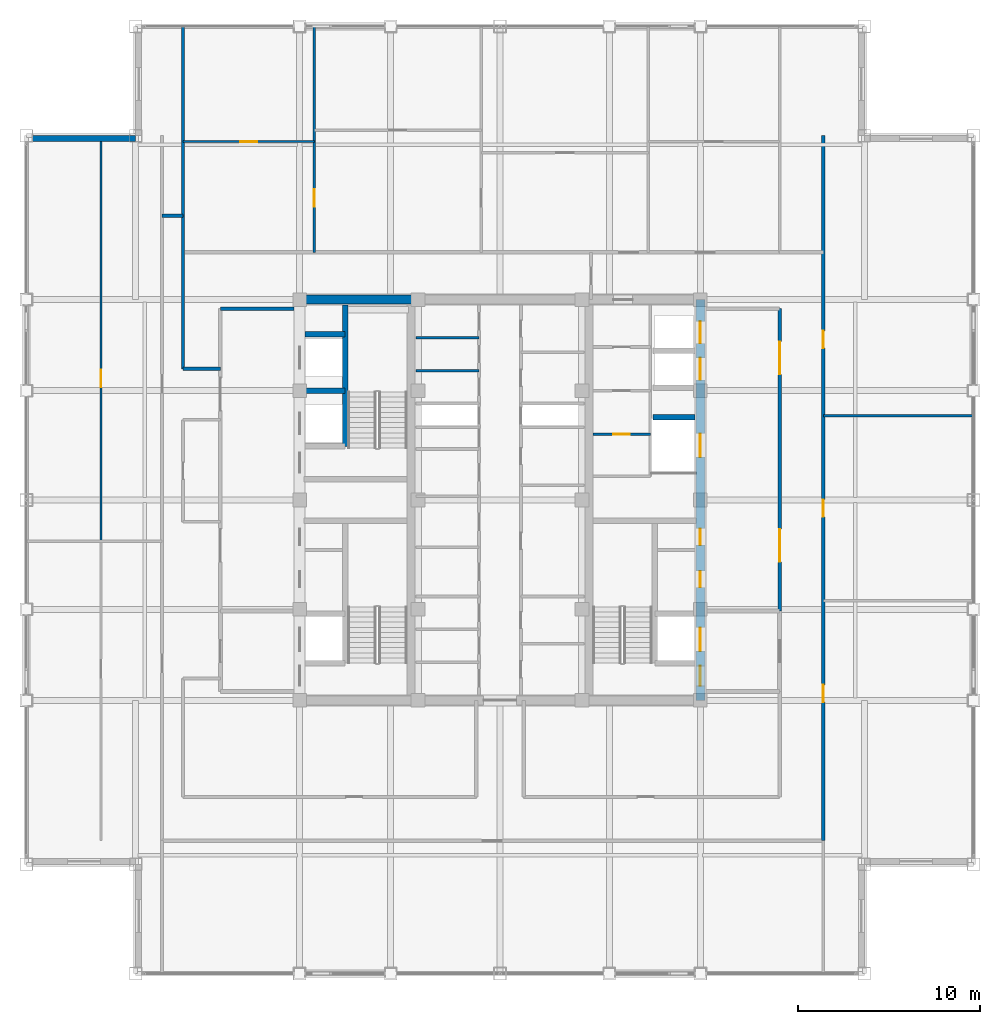
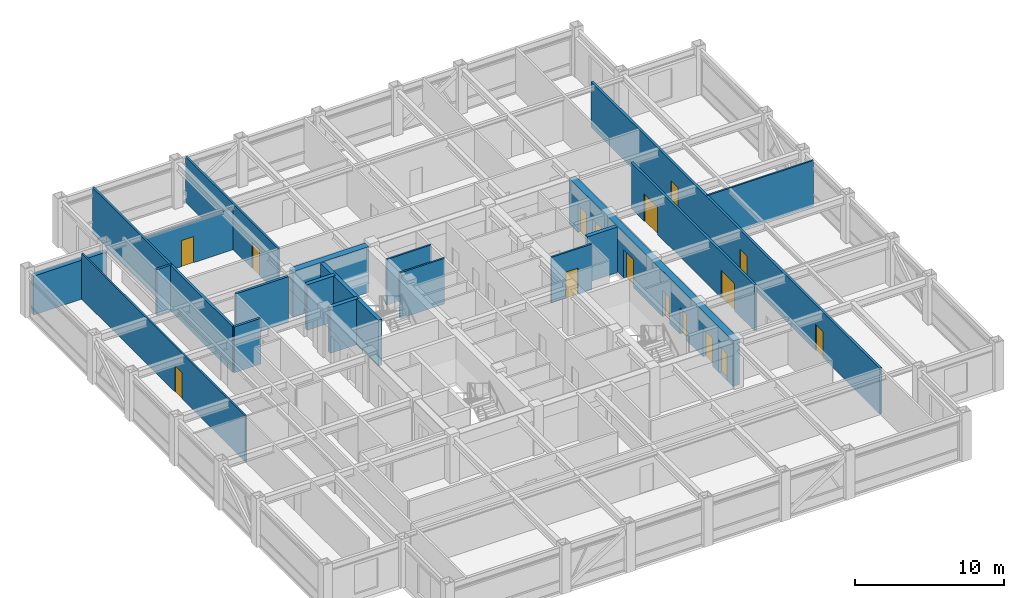
# One storey, part 26 of 29: 21 walls, 16 doors, 16 openings.
"""IFC4 building model written with IfcOpenShell, lengths in metres."""

from ifc_helpers import new_model, si_unit, direction, frame, frame_2d, origin, place, context, subcontext, project, spatial, rectangle, extrude, source, transform, mapped, material, layer, layer_set, type_object, element, fill, save


model = new_model("IFC4")

# Units and contexts
model_context = context("Model", 3, precision=1e-05, world=origin(), true_north=direction((0.0, 1.0)))
body_context = subcontext(model_context, "Body", "Model", "MODEL_VIEW")
ifc_project = project(units=[si_unit("LENGTHUNIT", "METRE"), si_unit("AREAUNIT", "SQUARE_METRE"), si_unit("VOLUMEUNIT", "CUBIC_METRE"), si_unit("PLANEANGLEUNIT", "RADIAN"), si_unit("MASSUNIT", "GRAM", prefix="KILO")], contexts=[model_context])

# Site, building, storey
site_placement = place(None, origin())
site = spatial("IfcSite", under=ifc_project, at=site_placement, CompositionType="ELEMENT")
building_placement = place(site_placement, origin())
building = spatial("IfcBuilding", under=site, at=building_placement, Name="Khorayat Bourse Tower", CompositionType="ELEMENT")
storey_placement = place(building_placement, frame((0.0, 0.0, 358.300048828125)))
storey = spatial("IfcBuildingStorey", under=building, at=storey_placement, Name="L85", CompositionType="ELEMENT", Elevation=358.300048828125)

# Wall, openings, doors
ifc_material_1 = material(Name="Concrete C52/65", Category="concrete")
ifc_layer_1 = layer(ifc_material_1, 0.5)
ifc_layer_set_1 = layer_set([ifc_layer_1], Name="Concrete C52/65")
wall_type_1 = type_object("IfcWallType", Name="WAL-CORE-500", PredefinedType="SHEAR", material=ifc_layer_set_1)
shared_shape_1 = source(origin(), body_context, "Body", "SweptSolid", [
    extrude(rectangle(XDim=22.0, YDim=0.5, at=frame_2d((11.0, 0.0))), origin(), (0.0, 0.0, 1.0), 3.739990234375),
])
wall_1_placement = place(storey_placement, frame((11.0, -11.0, 0.0), z_axis=(0.0, 0.0, 1.0), x_axis=(0.0, 1.0, 0.0)))
wall_1 = element("IfcWall", 1, at=wall_1_placement, inside=storey, type_object=wall_type_1, Name="L85 Core Shear Wall CORE-E", PredefinedType="SHEAR", context=body_context, shape_type="MappedRepresentation", body=[
    mapped(shared_shape_1, transform((0.0, 0.0, 0.0), scale=1.0)),
])
shared_shape_2 = source(origin(), body_context, "Body", "SweptSolid", [
    extrude(rectangle(XDim=1.10009765625, YDim=2.199951171875, at=frame_2d((0.550048828125, 1.10009765625))), frame((0.0, 0.260009765625, 0.0), z_axis=(0.0, -1.0, 0.0), x_axis=(1.0, 0.0, 0.0)), (0.0, 0.0, 1.0), 0.52001953125),
])
opening_1_placement = place(wall_1_placement, frame((0.800048828125, 0.0, 0.0)))
opening_1 = element("IfcOpeningElement", 2, at=opening_1_placement, cuts=wall_1, Name="Opening DI-01", PredefinedType="OPENING", context=body_context, shape_type="MappedRepresentation", body=[
    mapped(shared_shape_2, transform((0.0, 0.0, 0.0), scale=1.0)),
])
shared_shape_3 = source(origin(), body_context, "Body", "SweptSolid", [
    extrude(rectangle(XDim=0.89990234375, YDim=2.14990234375, at=frame_2d((0.449951171875, 1.074951171875))), frame((0.0, 0.260009765625, 0.0), z_axis=(0.0, -1.0, 0.0), x_axis=(1.0, 0.0, 0.0)), (0.0, 0.0, 1.0), 0.52001953125),
])
opening_2_placement = place(wall_1_placement, frame((6.199951171875, 0.0, 0.0)))
opening_2 = element("IfcOpeningElement", 3, at=opening_2_placement, cuts=wall_1, Name="Opening DI-06", PredefinedType="OPENING", context=body_context, shape_type="MappedRepresentation", body=[
    mapped(shared_shape_3, transform((0.0, 0.0, 0.0), scale=1.0)),
])
opening_3_placement = place(wall_1_placement, frame((8.52490234375, 0.0, 0.0)))
opening_3 = element("IfcOpeningElement", 4, at=opening_3_placement, cuts=wall_1, Name="Opening DI-06", PredefinedType="OPENING", context=body_context, shape_type="MappedRepresentation", body=[
    mapped(shared_shape_3, transform((0.0, 0.0, 0.0), scale=1.0)),
])
shared_shape_4 = source(origin(), body_context, "Body", "SweptSolid", [
    extrude(rectangle(XDim=1.199951171875, YDim=2.300048828125, at=frame_2d((0.60009765625, 1.14990234375))), frame((0.0, 0.260009765625, 0.0), z_axis=(0.0, -1.0, 0.0), x_axis=(1.0, 0.0, 0.0)), (0.0, 0.0, 1.0), 0.52001953125),
])
opening_4_placement = place(wall_1_placement, frame((17.60009765625, 0.0, 0.0)))
opening_4 = element("IfcOpeningElement", 5, at=opening_4_placement, cuts=wall_1, Name="Opening LD-01", PredefinedType="OPENING", context=body_context, shape_type="MappedRepresentation", body=[
    mapped(shared_shape_4, transform((0.0, 0.0, 0.0), scale=1.0)),
])
opening_5_placement = place(wall_1_placement, frame((19.60009765625, 0.0, 0.0)))
opening_5 = element("IfcOpeningElement", 6, at=opening_5_placement, cuts=wall_1, Name="Opening LD-01", PredefinedType="OPENING", context=body_context, shape_type="MappedRepresentation", body=[
    mapped(shared_shape_4, transform((0.0, 0.0, 0.0), scale=1.0)),
])
shared_shape_5 = source(origin(), body_context, "Body", "SweptSolid", [
    extrude(rectangle(XDim=1.300048828125, YDim=2.300048828125, at=frame_2d((0.64990234375, 1.14990234375))), frame((0.0, 0.260009765625, 0.0), z_axis=(0.0, -1.0, 0.0), x_axis=(1.0, 0.0, 0.0)), (0.0, 0.0, 1.0), 0.52001953125),
])
opening_6_placement = place(wall_1_placement, frame((2.699951171875, 0.0, 0.0)))
opening_6 = element("IfcOpeningElement", 7, at=opening_6_placement, cuts=wall_1, Name="Opening LD-02", PredefinedType="OPENING", context=body_context, shape_type="MappedRepresentation", body=[
    mapped(shared_shape_5, transform((0.0, 0.0, 0.0), scale=1.0)),
])
opening_7_placement = place(wall_1_placement, frame((13.35009765625, 0.0, 0.0)))
opening_7 = element("IfcOpeningElement", 8, at=opening_7_placement, cuts=wall_1, Name="Opening LD-02", PredefinedType="OPENING", context=body_context, shape_type="MappedRepresentation", body=[
    mapped(shared_shape_5, transform((0.0, 0.0, 0.0), scale=1.0)),
])
ifc_material_2 = material(Name="Fire-rated steel acoustic leaf", Category="steel")
door_type_1 = type_object("IfcDoorType", Name="DR-INT-STAIR-1100", OperationType="NOTDEFINED", PredefinedType="DOOR", material=ifc_material_2)
shared_shape_6 = source(origin(), body_context, "Body", "SweptSolid", [
    extrude(rectangle(XDim=1.10009765625, YDim=2.199951171875, at=frame_2d((0.550048828125, 1.10009765625))), frame((0.0, 0.02490234375, 0.0), z_axis=(0.0, -1.0, 0.0), x_axis=(1.0, 0.0, 0.0)), (0.0, 0.0, 1.0), 0.050048828125),
])
door_1_placement = place(opening_1_placement, origin())
door_1 = element("IfcDoor", 9, at=door_1_placement, inside=storey, type_object=door_type_1, Name="L85 Exit Stair 3 Door", OperationType="SINGLE_SWING_LEFT", OverallHeight=2.199951171875, OverallWidth=1.10009765625, PredefinedType="DOOR", context=body_context, shape_type="MappedRepresentation", body=[
    mapped(shared_shape_6, transform((0.0, 0.0, 0.0), scale=1.0)),
])
fill(opening_1, door_1)
ifc_material_3 = material(Name="Moisture-resistant laminate washroom door")
door_type_2 = type_object("IfcDoorType", Name="DR-INT-WC-900", OperationType="NOTDEFINED", PredefinedType="DOOR", material=ifc_material_3)
shared_shape_7 = source(origin(), body_context, "Body", "SweptSolid", [
    extrude(rectangle(XDim=0.89990234375, YDim=2.14990234375, at=frame_2d((0.449951171875, 1.074951171875))), frame((0.0, 0.02490234375, 0.0), z_axis=(0.0, -1.0, 0.0), x_axis=(1.0, 0.0, 0.0)), (0.0, 0.0, 1.0), 0.050048828125),
])
door_2_placement = place(opening_2_placement, origin())
door_2 = element("IfcDoor", 10, at=door_2_placement, inside=storey, type_object=door_type_2, Name="L85 Telecom Closet Door", OperationType="SINGLE_SWING_LEFT", OverallHeight=2.14990234375, OverallWidth=0.89990234375, PredefinedType="DOOR", context=body_context, shape_type="MappedRepresentation", body=[
    mapped(shared_shape_7, transform((0.0, 0.0, 0.0), scale=1.0)),
])
fill(opening_2, door_2)
door_3_placement = place(opening_3_placement, origin())
door_3 = element("IfcDoor", 11, at=door_3_placement, inside=storey, type_object=door_type_2, Name="L85 Stationery Store Door", OperationType="SINGLE_SWING_RIGHT", OverallHeight=2.14990234375, OverallWidth=0.89990234375, PredefinedType="DOOR", context=body_context, shape_type="MappedRepresentation", body=[
    mapped(shared_shape_7, transform((0.0, 0.0, 0.0), scale=1.0)),
])
fill(opening_3, door_3)
ifc_material_4 = material(Name="Brushed bronze stainless-steel sliding door", Category="steel")
door_type_3 = type_object("IfcDoorType", Name="DR-LIFT-PASS-1200", OperationType="NOTDEFINED", PredefinedType="DOOR", material=ifc_material_4)
shared_shape_8 = source(origin(), body_context, "Body", "SweptSolid", [
    extrude(rectangle(XDim=1.199951171875, YDim=2.300048828125, at=frame_2d((0.60009765625, 1.14990234375))), frame((0.0, 0.02490234375, 0.0), z_axis=(0.0, -1.0, 0.0), x_axis=(1.0, 0.0, 0.0)), (0.0, 0.0, 1.0), 0.050048828125),
])
door_4_placement = place(opening_4_placement, origin())
door_4 = element("IfcDoor", 12, at=door_4_placement, inside=storey, type_object=door_type_3, Name="L85 Lift PL-H3 Sliding Landing Door", OperationType="SLIDING_TO_LEFT", OverallHeight=2.300048828125, OverallWidth=1.199951171875, PredefinedType="DOOR", context=body_context, shape_type="MappedRepresentation", body=[
    mapped(shared_shape_8, transform((0.0, 0.0, 0.0), scale=1.0)),
])
fill(opening_4, door_4)
door_5_placement = place(opening_5_placement, origin())
door_5 = element("IfcDoor", 13, at=door_5_placement, inside=storey, type_object=door_type_3, Name="L85 Lift PL-H4 Sliding Landing Door", OperationType="SLIDING_TO_LEFT", OverallHeight=2.300048828125, OverallWidth=1.199951171875, PredefinedType="DOOR", context=body_context, shape_type="MappedRepresentation", body=[
    mapped(shared_shape_8, transform((0.0, 0.0, 0.0), scale=1.0)),
])
fill(opening_5, door_5)
ifc_material_5 = material(Name="Fire-rated stainless-steel sliding landing door", Category="steel")
door_type_4 = type_object("IfcDoorType", Name="DR-LIFT-FF-1300", OperationType="NOTDEFINED", PredefinedType="DOOR", material=ifc_material_5)
shared_shape_9 = source(origin(), body_context, "Body", "SweptSolid", [
    extrude(rectangle(XDim=1.300048828125, YDim=2.300048828125, at=frame_2d((0.64990234375, 1.14990234375))), frame((0.0, 0.02490234375, 0.0), z_axis=(0.0, -1.0, 0.0), x_axis=(1.0, 0.0, 0.0)), (0.0, 0.0, 1.0), 0.050048828125),
])
door_6_placement = place(opening_6_placement, origin())
door_6 = element("IfcDoor", 14, at=door_6_placement, inside=storey, type_object=door_type_4, Name="L85 Lift FFL-02 Sliding Landing Door", OperationType="SLIDING_TO_LEFT", OverallHeight=2.300048828125, OverallWidth=1.300048828125, PredefinedType="DOOR", context=body_context, shape_type="MappedRepresentation", body=[
    mapped(shared_shape_9, transform((0.0, 0.0, 0.0), scale=1.0)),
])
fill(opening_6, door_6)
door_7_placement = place(opening_7_placement, origin())
door_7 = element("IfcDoor", 15, at=door_7_placement, inside=storey, type_object=door_type_4, Name="L85 Lift SVL-01 Sliding Landing Door", OperationType="SLIDING_TO_LEFT", OverallHeight=2.300048828125, OverallWidth=1.300048828125, PredefinedType="DOOR", context=body_context, shape_type="MappedRepresentation", body=[
    mapped(shared_shape_9, transform((0.0, 0.0, 0.0), scale=1.0)),
])
fill(opening_7, door_7)

# Walls
shared_shape_10 = source(origin(), body_context, "Body", "SweptSolid", [
    extrude(rectangle(XDim=5.89990234375, YDim=0.5, at=frame_2d((2.949951171875, 0.0))), origin(), (0.0, 0.0, 1.0), 3.739990234375),
])
wall_2_placement = place(storey_placement, frame((-10.75, 11.0, 0.0), z_axis=(0.0, 0.0, 1.0), x_axis=(1.0, 0.0, 0.0)))
element("IfcWall", 16, at=wall_2_placement, inside=storey, type_object=wall_type_1, Name="L85 Core Shear Wall PIER-WN", PredefinedType="SHEAR", context=body_context, shape_type="MappedRepresentation", body=[
    mapped(shared_shape_10, transform((0.0, 0.0, 0.0), scale=1.0)),
])
ifc_material_6 = material(Name="Precast concrete C45/55", Category="concrete")
ifc_layer_2 = layer(ifc_material_6, 0.320068359375)
ifc_layer_set_2 = layer_set([ifc_layer_2], Name="Precast concrete C45/55")
wall_type_2 = type_object("IfcWallType", Name="WAL-EXT-STONE-320", PredefinedType="STANDARD", material=ifc_layer_set_2)
shared_shape_11 = source(origin(), body_context, "Body", "SweptSolid", [
    extrude(rectangle(XDim=5.679931640625, YDim=0.320068359375, at=frame_2d((2.83984375, 0.0))), origin(), (0.0, 0.0, 1.0), 3.19091796875),
])
wall_3_placement = place(storey_placement, frame((-20.0, 19.840087890625, 0.0), z_axis=(0.0, 0.0, 1.0), x_axis=(-1.0, 0.0, 0.0)))
element("IfcWall", 17, at=wall_3_placement, inside=storey, type_object=wall_type_2, Name="L85 Re-Entrant Notch Limestone Wall NW-H", PredefinedType="STANDARD", context=body_context, shape_type="MappedRepresentation", body=[
    mapped(shared_shape_11, transform((0.0, 0.0, 0.0), scale=1.0)),
])
ifc_material_7 = material(Name="Concrete C50/60", Category="concrete")
ifc_layer_3 = layer(ifc_material_7, 0.300048828125)
ifc_layer_set_3 = layer_set([ifc_layer_3], Name="Concrete C50/60")
wall_type_3 = type_object("IfcWallType", Name="WAL-SHAFT-300", PredefinedType="SHEAR", material=ifc_layer_set_3)
shared_shape_12 = source(origin(), body_context, "Body", "SweptSolid", [
    extrude(rectangle(XDim=2.199951171875, YDim=0.300048828125, at=frame_2d((1.10009765625, 0.0))), origin(), (0.0, 0.0, 1.0), 3.739990234375),
])
for number, where, z_axis, x_axis, name in (
    (18, (-10.699951171875, 6.0, 0.0), (0.0, 0.0, 1.0), (1.0, 0.0, 0.0), "L85 Partition WAL-L85-WPIER-H12"),
    (19, (-10.699951171875, 9.10009765625, 0.0), (0.0, 0.0, 1.0), (1.0, 0.0, 0.0), "L85 Partition WAL-L85-WPIER-H2N"),
):
    element("IfcWall", number, at=place(storey_placement, frame(where, z_axis=z_axis, x_axis=x_axis)), inside=storey, type_object=wall_type_3, Name=name, PredefinedType="SHEAR", context=body_context, shape_type="MappedRepresentation", body=[
        mapped(shared_shape_12, transform((0.0, 0.0, 0.0), scale=1.0)),
    ])
shared_shape_13 = source(origin(), body_context, "Body", "SweptSolid", [
    extrude(rectangle(XDim=7.75, YDim=0.300048828125, at=frame_2d((3.875, 0.0))), origin(), (0.0, 0.0, 1.0), 3.739990234375),
])
wall_4_placement = place(storey_placement, frame((-8.5, 2.949951171875, 0.0), z_axis=(0.0, 0.0, 1.0), x_axis=(0.0, 1.0, 0.0)))
element("IfcWall", 20, at=wall_4_placement, inside=storey, type_object=wall_type_3, Name="L85 Partition WAL-L85-WPIER-ST2S", PredefinedType="SHEAR", context=body_context, shape_type="MappedRepresentation", body=[
    mapped(shared_shape_13, transform((0.0, 0.0, 0.0), scale=1.0)),
])
shared_shape_14 = source(origin(), body_context, "Body", "SweptSolid", [
    extrude(rectangle(XDim=2.300048828125, YDim=0.300048828125, at=frame_2d((1.14990234375, 0.0))), origin(), (0.0, 0.0, 1.0), 3.739990234375),
])
wall_5_placement = place(storey_placement, frame((8.39990234375, 4.550048828125, 0.0), z_axis=(0.0, 0.0, 1.0), x_axis=(1.0, 0.0, 0.0)))
element("IfcWall", 21, at=wall_5_placement, inside=storey, type_object=wall_type_3, Name="L85 Partition WAL-L85-EPIER-SVLN", PredefinedType="SHEAR", context=body_context, shape_type="MappedRepresentation", body=[
    mapped(shared_shape_14, transform((0.0, 0.0, 0.0), scale=1.0)),
])

# Wall, opening, door
ifc_material_8 = material(Name="Moisture-resistant masonry partition", Category="masonry")
ifc_layer_4 = layer(ifc_material_8, 0.139892578125)
ifc_layer_set_4 = layer_set([ifc_layer_4], Name="Moisture-resistant masonry partition")
wall_type_4 = type_object("IfcWallType", Name="WAL-PART-WET-140", PredefinedType="PARTITIONING", material=ifc_layer_set_4)
shared_shape_15 = source(origin(), body_context, "Body", "SweptSolid", [
    extrude(rectangle(XDim=3.14990234375, YDim=0.139892578125, at=frame_2d((1.574951171875, 0.0))), origin(), (0.0, 0.0, 1.0), 3.739990234375),
])
wall_6_placement = place(storey_placement, frame((5.10009765625, 3.60009765625, 0.0), z_axis=(0.0, 0.0, 1.0), x_axis=(1.0, 0.0, 0.0)))
wall_6 = element("IfcWall", 22, at=wall_6_placement, inside=storey, type_object=wall_type_4, Name="L85 Partition WAL-L85-ECW-H2", PredefinedType="PARTITIONING", context=body_context, shape_type="MappedRepresentation", body=[
    mapped(shared_shape_15, transform((0.0, 0.0, 0.0), scale=1.0)),
])
shared_shape_16 = source(origin(), body_context, "Body", "SweptSolid", [
    extrude(rectangle(XDim=0.89990234375, YDim=2.14990234375, at=frame_2d((0.449951171875, 1.074951171875))), frame((0.0, 0.079833984375, 0.0), z_axis=(0.0, -1.0, 0.0), x_axis=(1.0, 0.0, 0.0)), (0.0, 0.0, 1.0), 0.159912109375),
])
opening_8_placement = place(wall_6_placement, frame((1.1298828125, 0.0, 0.0)))
opening_8 = element("IfcOpeningElement", 23, at=opening_8_placement, cuts=wall_6, Name="Opening DI-06", PredefinedType="OPENING", context=body_context, shape_type="MappedRepresentation", body=[
    mapped(shared_shape_16, transform((0.0, 0.0, 0.0), scale=1.0)),
])
door_8_placement = place(opening_8_placement, origin())
door_8 = element("IfcDoor", 24, at=door_8_placement, inside=storey, type_object=door_type_2, Name="L85 Staff Washroom Door", OperationType="SINGLE_SWING_LEFT", OverallHeight=2.14990234375, OverallWidth=0.89990234375, PredefinedType="DOOR", context=body_context, shape_type="MappedRepresentation", body=[
    mapped(shared_shape_7, transform((0.0, 0.0, 0.0), scale=1.0)),
])
fill(opening_8, door_8)

# Wall
ifc_material_9 = material(Name="Gypsum plasterboard acoustic stud wall")
ifc_layer_5 = layer(ifc_material_9, 0.179931640625)
ifc_layer_set_5 = layer_set([ifc_layer_5], Name="Gypsum plasterboard acoustic stud wall")
wall_type_5 = type_object("IfcWallType", Name="WAL-PART-CORR-180", PredefinedType="PARTITIONING", material=ifc_layer_set_5)
shared_shape_17 = source(origin(), body_context, "Body", "SweptSolid", [
    extrude(rectangle(XDim=4.050048828125, YDim=0.179931640625, at=frame_2d((2.02490234375, 0.0))), origin(), (0.0, 0.0, 1.0), 3.739990234375),
])
wall_7_placement = place(storey_placement, frame((-15.35009765625, 10.5, 0.0), z_axis=(0.0, 0.0, 1.0), x_axis=(1.0, 0.0, 0.0)))
element("IfcWall", 25, at=wall_7_placement, inside=storey, type_object=wall_type_5, Name="L85 Partition WAL-L85-WLOB-N", PredefinedType="PARTITIONING", context=body_context, shape_type="MappedRepresentation", body=[
    mapped(shared_shape_17, transform((0.0, 0.0, 0.0), scale=1.0)),
])

# Wall, openings, doors
shared_shape_18 = source(origin(), body_context, "Body", "SweptSolid", [
    extrude(rectangle(XDim=16.60009765625, YDim=0.179931640625, at=frame_2d((8.300048828125, 0.0))), origin(), (0.0, 0.0, 1.0), 3.739990234375),
])
wall_8_placement = place(storey_placement, frame((15.35009765625, -6.10009765625, 0.0), z_axis=(0.0, 0.0, 1.0), x_axis=(0.0, 1.0, 0.0)))
wall_8 = element("IfcWall", 26, at=wall_8_placement, inside=storey, type_object=wall_type_5, Name="L85 Partition WAL-L85-ELOB-E", PredefinedType="PARTITIONING", context=body_context, shape_type="MappedRepresentation", body=[
    mapped(shared_shape_18, transform((0.0, 0.0, 0.0), scale=1.0)),
])
shared_shape_19 = source(origin(), body_context, "Body", "SweptSolid", [
    extrude(rectangle(XDim=1.800048828125, YDim=2.25, at=frame_2d((0.89990234375, 1.125))), frame((0.0, 0.099853515625, 0.0), z_axis=(0.0, -1.0, 0.0), x_axis=(1.0, 0.0, 0.0)), (0.0, 0.0, 1.0), 0.199951171875),
])
opening_9_placement = place(wall_8_placement, frame((2.699951171875, 0.0, 0.0)))
opening_9 = element("IfcOpeningElement", 27, at=opening_9_placement, cuts=wall_8, Name="Opening DI-03", PredefinedType="OPENING", context=body_context, shape_type="MappedRepresentation", body=[
    mapped(shared_shape_19, transform((0.0, 0.0, 0.0), scale=1.0)),
])
opening_10_placement = place(wall_8_placement, frame((13.0, 0.0, 0.0)))
opening_10 = element("IfcOpeningElement", 28, at=opening_10_placement, cuts=wall_8, Name="Opening DI-03", PredefinedType="OPENING", context=body_context, shape_type="MappedRepresentation", body=[
    mapped(shared_shape_19, transform((0.0, 0.0, 0.0), scale=1.0)),
])
ifc_material_10 = material(Name="Fire-rated hardwood vision-panel double leaf", Category="wood")
door_type_5 = type_object("IfcDoorType", Name="DR-INT-CORR-1800", OperationType="NOTDEFINED", PredefinedType="DOOR", material=ifc_material_10)
shared_shape_20 = source(origin(), body_context, "Body", "SweptSolid", [
    extrude(rectangle(XDim=1.800048828125, YDim=2.25, at=frame_2d((0.89990234375, 1.125))), frame((0.0, 0.02490234375, 0.0), z_axis=(0.0, -1.0, 0.0), x_axis=(1.0, 0.0, 0.0)), (0.0, 0.0, 1.0), 0.050048828125),
])
door_9_placement = place(opening_9_placement, origin())
door_9 = element("IfcDoor", 29, at=door_9_placement, inside=storey, type_object=door_type_5, Name="L85 East Core Lobby South Door", OperationType="SINGLE_SWING_RIGHT", OverallHeight=2.25, OverallWidth=1.800048828125, PredefinedType="DOOR", context=body_context, shape_type="MappedRepresentation", body=[
    mapped(shared_shape_20, transform((0.0, 0.0, 0.0), scale=1.0)),
])
fill(opening_9, door_9)
door_10_placement = place(opening_10_placement, origin())
door_10 = element("IfcDoor", 30, at=door_10_placement, inside=storey, type_object=door_type_5, Name="L85 East Core Lobby North Door", OperationType="SINGLE_SWING_LEFT", OverallHeight=2.25, OverallWidth=1.800048828125, PredefinedType="DOOR", context=body_context, shape_type="MappedRepresentation", body=[
    mapped(shared_shape_20, transform((0.0, 0.0, 0.0), scale=1.0)),
])
fill(opening_10, door_10)

# Walls
shared_shape_21 = source(origin(), body_context, "Body", "SweptSolid", [
    extrude(rectangle(XDim=3.4501953125, YDim=0.139892578125, at=frame_2d((1.72509765625, 0.0))), origin(), (0.0, 0.0, 1.0), 3.739990234375),
])
for number, where, z_axis, x_axis, name in (
    (31, (-4.60009765625, 7.10009765625, 0.0), (0.0, 0.0, 1.0), (1.0, 0.0, 0.0), "L85 Partition WAL-L85-FB2W-D1"),
    (32, (-4.60009765625, 8.89990234375, 0.0), (0.0, 0.0, 1.0), (1.0, 0.0, 0.0), "L85 Partition WAL-L85-FB2W-D2"),
):
    element("IfcWall", number, at=place(storey_placement, frame(where, z_axis=z_axis, x_axis=x_axis)), inside=storey, type_object=wall_type_4, Name=name, PredefinedType="PARTITIONING", context=body_context, shape_type="MappedRepresentation", body=[
        mapped(shared_shape_21, transform((0.0, 0.0, 0.0), scale=1.0)),
    ])
shared_shape_22 = source(origin(), body_context, "Body", "SweptSolid", [
    extrude(rectangle(XDim=2.0498046875, YDim=0.179931640625, at=frame_2d((1.02490234375, 0.0))), origin(), (0.0, 0.0, 1.0), 3.739990234375),
])
wall_9_placement = place(storey_placement, frame((-17.39990234375, 7.199951171875, 0.0), z_axis=(0.0, 0.0, 1.0), x_axis=(1.0, 0.0, 0.0)))
element("IfcWall", 33, at=wall_9_placement, inside=storey, type_object=wall_type_5, Name="L85 Partition WAL-L85-THRWN-T", PredefinedType="PARTITIONING", context=body_context, shape_type="MappedRepresentation", body=[
    mapped(shared_shape_22, transform((0.0, 0.0, 0.0), scale=1.0)),
])
shared_shape_23 = source(origin(), body_context, "Body", "SweptSolid", [
    extrude(rectangle(XDim=8.400146484375, YDim=0.179931640625, at=frame_2d((4.2001953125, 0.0))), origin(), (0.0, 0.0, 1.0), 3.739990234375),
])
wall_10_placement = place(storey_placement, frame((-17.39990234375, 7.199951171875, 0.0), z_axis=(0.0, 0.0, 1.0), x_axis=(0.0, 1.0, 0.0)))
element("IfcWall", 34, at=wall_10_placement, inside=storey, type_object=wall_type_5, Name="L85 Partition WAL-L85-THRWN-N", PredefinedType="PARTITIONING", context=body_context, shape_type="MappedRepresentation", body=[
    mapped(shared_shape_23, transform((0.0, 0.0, 0.0), scale=1.0)),
])
shared_shape_24 = source(origin(), body_context, "Body", "SweptSolid", [
    extrude(rectangle(XDim=1.150146484375, YDim=0.179931640625, at=frame_2d((0.5751953125, 0.0))), origin(), (0.0, 0.0, 1.0), 3.739990234375),
])
wall_11_placement = place(storey_placement, frame((-18.550048828125, 15.60009765625, 0.0), z_axis=(0.0, 0.0, 1.0), x_axis=(1.0, 0.0, 0.0)))
element("IfcWall", 35, at=wall_11_placement, inside=storey, type_object=wall_type_5, Name="L85 Partition WAL-L85-GALW-N", PredefinedType="PARTITIONING", context=body_context, shape_type="MappedRepresentation", body=[
    mapped(shared_shape_24, transform((0.0, 0.0, 0.0), scale=1.0)),
])

# Wall, opening, door
ifc_material_11 = material(Name="Gypsum plasterboard twin-frame partition")
ifc_layer_6 = layer(ifc_material_11, 0.14990234375)
ifc_layer_set_6 = layer_set([ifc_layer_6], Name="Gypsum plasterboard twin-frame partition")
wall_type_6 = type_object("IfcWallType", Name="WAL-PART-SUITE-150", PredefinedType="PARTITIONING", material=ifc_layer_set_6)
shared_shape_25 = source(origin(), body_context, "Body", "SweptSolid", [
    extrude(rectangle(XDim=12.39990234375, YDim=0.14990234375, at=frame_2d((6.199951171875, 0.0))), origin(), (0.0, 0.0, 1.0), 3.739990234375),
])
wall_12_placement = place(storey_placement, frame((-10.195068359375, 13.60009765625, 0.0), z_axis=(0.0, 0.0, 1.0), x_axis=(0.0, 1.0, 0.0)))
wall_12 = element("IfcWall", 36, at=wall_12_placement, inside=storey, type_object=wall_type_6, Name="L85 Partition WAL-L85-NDV-1", PredefinedType="PARTITIONING", context=body_context, shape_type="MappedRepresentation", body=[
    mapped(shared_shape_25, transform((0.0, 0.0, 0.0), scale=1.0)),
])
shared_shape_26 = source(origin(), body_context, "Body", "SweptSolid", [
    extrude(rectangle(XDim=0.949951171875, YDim=2.14990234375, at=frame_2d((0.47509765625, 1.074951171875))), frame((0.0, 0.0849609375, 0.0), z_axis=(0.0, -1.0, 0.0), x_axis=(1.0, 0.0, 0.0)), (0.0, 0.0, 1.0), 0.169921875),
])
opening_11_placement = place(wall_12_placement, frame((2.5009765625, 0.0, 0.0)))
opening_11 = element("IfcOpeningElement", 37, at=opening_11_placement, cuts=wall_12, Name="Opening DI-05", PredefinedType="OPENING", context=body_context, shape_type="MappedRepresentation", body=[
    mapped(shared_shape_26, transform((0.0, 0.0, 0.0), scale=1.0)),
])
ifc_material_12 = material(Name="Acoustic oak veneer office door")
door_type_6 = type_object("IfcDoorType", Name="DR-INT-OFFICE-950", OperationType="NOTDEFINED", PredefinedType="DOOR", material=ifc_material_12)
shared_shape_27 = source(origin(), body_context, "Body", "SweptSolid", [
    extrude(rectangle(XDim=0.949951171875, YDim=2.14990234375, at=frame_2d((0.47509765625, 1.074951171875))), frame((0.0, 0.02490234375, 0.0), z_axis=(0.0, -1.0, 0.0), x_axis=(1.0, 0.0, 0.0)), (0.0, 0.0, 1.0), 0.050048828125),
])
door_11_placement = place(opening_11_placement, origin())
door_11 = element("IfcDoor", 38, at=door_11_placement, inside=storey, type_object=door_type_6, Name="L85 N Suite Link 1", OperationType="SINGLE_SWING_RIGHT", OverallHeight=2.14990234375, OverallWidth=0.949951171875, PredefinedType="DOOR", context=body_context, shape_type="MappedRepresentation", body=[
    mapped(shared_shape_27, transform((0.0, 0.0, 0.0), scale=1.0)),
])
fill(opening_11, door_11)

# Walls
shared_shape_28 = source(origin(), body_context, "Body", "SweptSolid", [
    extrude(rectangle(XDim=10.39990234375, YDim=0.14990234375, at=frame_2d((5.199951171875, 0.0))), origin(), (0.0, 0.0, 1.0), 3.739990234375),
])
wall_13_placement = place(storey_placement, frame((-17.39990234375, 15.60009765625, 0.0), z_axis=(0.0, 0.0, 1.0), x_axis=(0.0, 1.0, 0.0)))
element("IfcWall", 39, at=wall_13_placement, inside=storey, type_object=wall_type_6, Name="L85 Partition WAL-L85-NCW-END", PredefinedType="PARTITIONING", context=body_context, shape_type="MappedRepresentation", body=[
    mapped(shared_shape_28, transform((0.0, 0.0, 0.0), scale=1.0)),
])
ifc_material_13 = material(Name="Gypsum plasterboard partition")
ifc_layer_7 = layer(ifc_material_13, 0.125)
ifc_layer_set_7 = layer_set([ifc_layer_7], Name="Gypsum plasterboard partition")
wall_type_7 = type_object("IfcWallType", Name="WAL-PART-ROOM-125", PredefinedType="PARTITIONING", material=ifc_layer_set_7)
shared_shape_29 = source(origin(), body_context, "Body", "SweptSolid", [
    extrude(rectangle(XDim=8.25, YDim=0.125, at=frame_2d((4.125, 0.0))), origin(), (0.0, 0.0, 1.0), 3.739990234375),
])
wall_14_placement = place(storey_placement, frame((17.75, 4.6298828125, 0.0), z_axis=(0.0, 0.0, 1.0), x_axis=(1.0, 0.0, 0.0)))
element("IfcWall", 40, at=wall_14_placement, inside=storey, type_object=wall_type_7, Name="L85 Partition WAL-L85-EDV-2", PredefinedType="PARTITIONING", context=body_context, shape_type="MappedRepresentation", body=[
    mapped(shared_shape_29, transform((0.0, 0.0, 0.0), scale=1.0)),
])

# Wall, opening, door
shared_shape_30 = source(origin(), body_context, "Body", "SweptSolid", [
    extrude(rectangle(XDim=7.204833984375, YDim=0.125, at=frame_2d((3.6025390625, 0.0))), origin(), (0.0, 0.0, 1.0), 3.39306640625),
])
wall_15_placement = place(storey_placement, frame((-17.39990234375, 19.676025390625, 0.0), z_axis=(0.0, 0.0, 1.0), x_axis=(1.0, 0.0, 0.0)))
wall_15 = element("IfcWall", 41, at=wall_15_placement, inside=storey, type_object=wall_type_7, Name="L85 Partition WAL-L85-NDP-1", PredefinedType="PARTITIONING", context=body_context, shape_type="MappedRepresentation", body=[
    mapped(shared_shape_30, transform((0.0, 0.0, 0.0), scale=1.0)),
])
shared_shape_31 = source(origin(), body_context, "Body", "SweptSolid", [
    extrude(rectangle(XDim=0.949951171875, YDim=2.14990234375, at=frame_2d((0.47509765625, 1.074951171875))), frame((0.0, 0.072509765625, 0.0), z_axis=(0.0, -1.0, 0.0), x_axis=(1.0, 0.0, 0.0)), (0.0, 0.0, 1.0), 0.14501953125),
])
opening_12_placement = place(wall_15_placement, frame((3.12744140625, 0.0, 0.0)))
opening_12 = element("IfcOpeningElement", 42, at=opening_12_placement, cuts=wall_15, Name="Opening DI-05", PredefinedType="OPENING", context=body_context, shape_type="MappedRepresentation", body=[
    mapped(shared_shape_31, transform((0.0, 0.0, 0.0), scale=1.0)),
])
door_12_placement = place(opening_12_placement, origin())
door_12 = element("IfcDoor", 43, at=door_12_placement, inside=storey, type_object=door_type_6, Name="L85 Executive Wellness Fitness Gym N1B Door", OperationType="SINGLE_SWING_RIGHT", OverallHeight=2.14990234375, OverallWidth=0.949951171875, PredefinedType="DOOR", context=body_context, shape_type="MappedRepresentation", body=[
    mapped(shared_shape_27, transform((0.0, 0.0, 0.0), scale=1.0)),
])
fill(opening_12, door_12)

shared_shape_32 = source(origin(), body_context, "Body", "SweptSolid", [
    extrude(rectangle(XDim=21.9638671875, YDim=0.125, at=frame_2d((10.98193359375, 0.0))), origin(), (0.0, 0.0, 1.0), 3.739990234375),
])
wall_16_placement = place(storey_placement, frame((-21.902587890625, -2.263916015625, 0.0), z_axis=(0.0, 0.0, 1.0), x_axis=(0.0, 1.0, 0.0)))
wall_16 = element("IfcWall", 44, at=wall_16_placement, inside=storey, type_object=wall_type_7, Name="L85 Partition WAL-L85-WDP-2", PredefinedType="PARTITIONING", context=body_context, shape_type="MappedRepresentation", body=[
    mapped(shared_shape_32, transform((0.0, 0.0, 0.0), scale=1.0)),
])
opening_13_placement = place(wall_16_placement, frame((8.45703125, 0.0, 0.0)))
opening_13 = element("IfcOpeningElement", 45, at=opening_13_placement, cuts=wall_16, Name="Opening DI-05", PredefinedType="OPENING", context=body_context, shape_type="MappedRepresentation", body=[
    mapped(shared_shape_31, transform((0.0, 0.0, 0.0), scale=1.0)),
])
door_13_placement = place(opening_13_placement, origin())
door_13 = element("IfcDoor", 46, at=door_13_placement, inside=storey, type_object=door_type_6, Name="L85 Executive Wellness Fitness Gym W2B Door", OperationType="SINGLE_SWING_LEFT", OverallHeight=2.14990234375, OverallWidth=0.949951171875, PredefinedType="DOOR", context=body_context, shape_type="MappedRepresentation", body=[
    mapped(shared_shape_27, transform((0.0, 0.0, 0.0), scale=1.0)),
])
fill(opening_13, door_13)

# Wall, openings, doors
shared_shape_33 = source(origin(), body_context, "Body", "SweptSolid", [
    extrude(rectangle(XDim=38.699951171875, YDim=0.179931640625, at=frame_2d((19.35009765625, 0.0))), origin(), (0.0, 0.0, 1.0), 3.739990234375),
])
wall_17_placement = place(storey_placement, frame((17.75, -18.699951171875, 0.0), z_axis=(0.0, 0.0, 1.0), x_axis=(0.0, 1.0, 0.0)))
wall_17 = element("IfcWall", 47, at=wall_17_placement, inside=storey, type_object=wall_type_5, Name="L85 Partition WAL-L85-ECORR", PredefinedType="PARTITIONING", context=body_context, shape_type="MappedRepresentation", body=[
    mapped(shared_shape_33, transform((0.0, 0.0, 0.0), scale=1.0)),
])
shared_shape_34 = source(origin(), body_context, "Body", "SweptSolid", [
    extrude(rectangle(XDim=0.949951171875, YDim=2.14990234375, at=frame_2d((0.47509765625, 1.074951171875))), frame((0.0, 0.099853515625, 0.0), z_axis=(0.0, -1.0, 0.0), x_axis=(1.0, 0.0, 0.0)), (0.0, 0.0, 1.0), 0.199951171875),
])
opening_14_placement = place(wall_17_placement, frame((7.60693359375, 0.0, 0.0)))
opening_14 = element("IfcOpeningElement", 48, at=opening_14_placement, cuts=wall_17, Name="Opening DI-05", PredefinedType="OPENING", context=body_context, shape_type="MappedRepresentation", body=[
    mapped(shared_shape_34, transform((0.0, 0.0, 0.0), scale=1.0)),
])
opening_15_placement = place(wall_17_placement, frame((17.77197265625, 0.0, 0.0)))
opening_15 = element("IfcOpeningElement", 49, at=opening_15_placement, cuts=wall_17, Name="Opening DI-05", PredefinedType="OPENING", context=body_context, shape_type="MappedRepresentation", body=[
    mapped(shared_shape_34, transform((0.0, 0.0, 0.0), scale=1.0)),
])
opening_16_placement = place(wall_17_placement, frame((27.0400390625, 0.0, 0.0)))
opening_16 = element("IfcOpeningElement", 50, at=opening_16_placement, cuts=wall_17, Name="Opening DI-05", PredefinedType="OPENING", context=body_context, shape_type="MappedRepresentation", body=[
    mapped(shared_shape_34, transform((0.0, 0.0, 0.0), scale=1.0)),
])
door_14_placement = place(opening_14_placement, origin())
door_14 = element("IfcDoor", 51, at=door_14_placement, inside=storey, type_object=door_type_6, Name="L85 Members Club Room E1 Door", OperationType="SINGLE_SWING_RIGHT", OverallHeight=2.14990234375, OverallWidth=0.949951171875, PredefinedType="DOOR", context=body_context, shape_type="MappedRepresentation", body=[
    mapped(shared_shape_27, transform((0.0, 0.0, 0.0), scale=1.0)),
])
fill(opening_14, door_14)
door_15_placement = place(opening_15_placement, origin())
door_15 = element("IfcDoor", 52, at=door_15_placement, inside=storey, type_object=door_type_6, Name="L85 Clearing Operations Office E2 Door", OperationType="SINGLE_SWING_LEFT", OverallHeight=2.14990234375, OverallWidth=0.949951171875, PredefinedType="DOOR", context=body_context, shape_type="MappedRepresentation", body=[
    mapped(shared_shape_27, transform((0.0, 0.0, 0.0), scale=1.0)),
])
fill(opening_15, door_15)
door_16_placement = place(opening_16_placement, origin())
door_16 = element("IfcDoor", 53, at=door_16_placement, inside=storey, type_object=door_type_6, Name="L85 Market Risk Analytics Workspace E3 Door", OperationType="SINGLE_SWING_RIGHT", OverallHeight=2.14990234375, OverallWidth=0.949951171875, PredefinedType="DOOR", context=body_context, shape_type="MappedRepresentation", body=[
    mapped(shared_shape_27, transform((0.0, 0.0, 0.0), scale=1.0)),
])
fill(opening_16, door_16)

save(model, "model.ifc")
